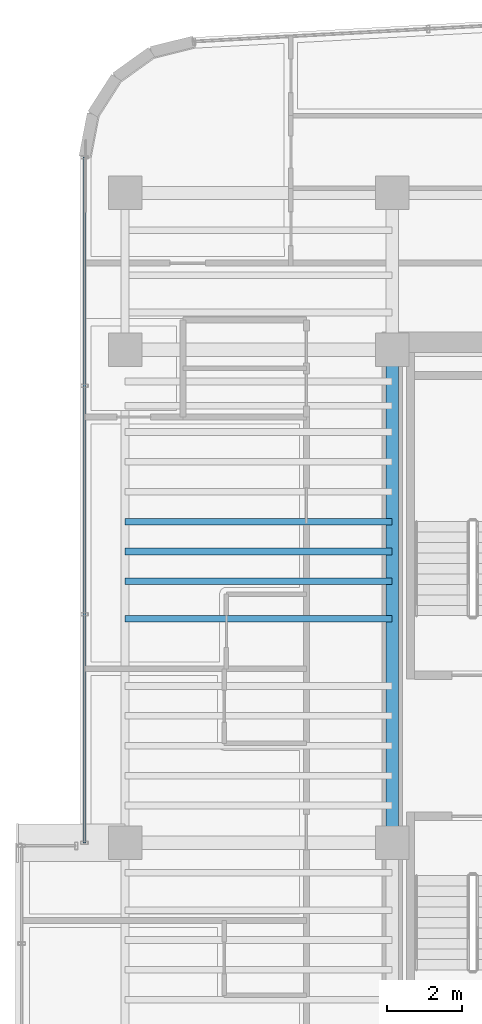
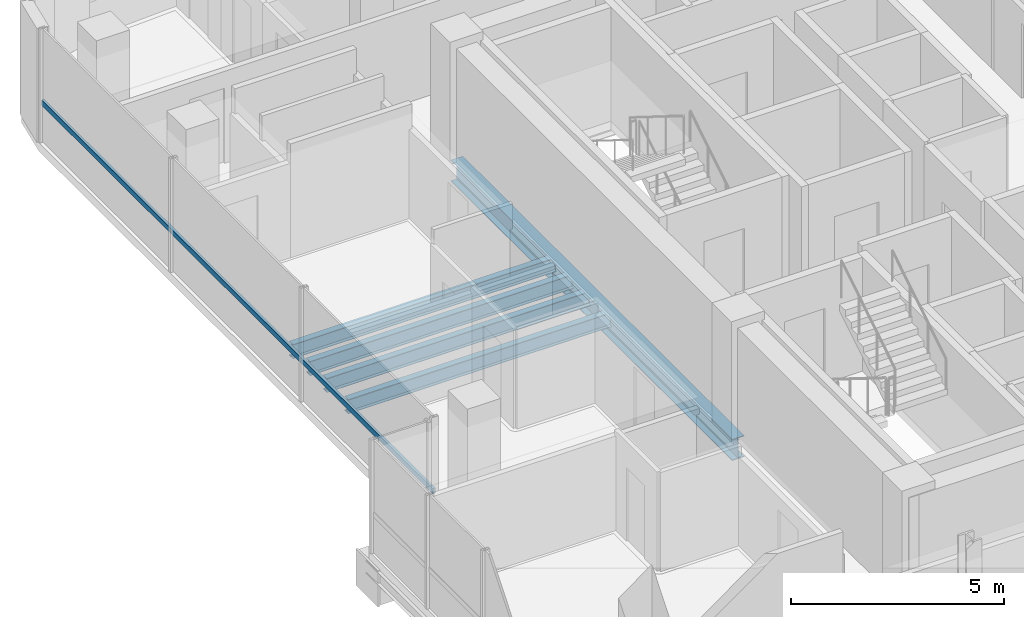
# One storey, part 8 of 24: 5 beams, 1 member, 1 element without a shape of its own.
"""IFC4 building model written with IfcOpenShell, lengths in metres."""

from ifc_helpers import new_model, si_unit, direction, frame, origin, origin_2d, place, context, subcontext, project, spatial, hollow_rectangle, i_section, extrude, source, transform, mapped, material, material_profile, profile_set, type_object, element, aggregate, save


model = new_model("IFC4")

# Units and contexts
model_context = context("Model", 3, precision=1e-05, world=origin(), true_north=direction((0.0, 1.0)))
body_context = subcontext(model_context, "Body", "Model", "MODEL_VIEW")
ifc_project = project(units=[si_unit("LENGTHUNIT", "METRE"), si_unit("AREAUNIT", "SQUARE_METRE"), si_unit("VOLUMEUNIT", "CUBIC_METRE"), si_unit("PLANEANGLEUNIT", "RADIAN"), si_unit("MASSUNIT", "GRAM", prefix="KILO")], contexts=[model_context])

# Site, building, storey
site_placement = place(None, origin())
site = spatial("IfcSite", under=ifc_project, at=site_placement, CompositionType="ELEMENT")
building_placement = place(site_placement, origin())
building = spatial("IfcBuilding", under=site, at=building_placement, Name="Valdorenza Pilgrim Sanctuary Tower", CompositionType="ELEMENT")
storey_placement = place(building_placement, frame((0.0, 0.0, 230.0)))
storey = spatial("IfcBuildingStorey", under=building, at=storey_placement, Name="L59", CompositionType="ELEMENT", Elevation=230.0)

# Beams
ifc_material_1 = material(Name="Steel ASTM A992 Grade 50", Category="steel")
ifc_material_profile_1 = material_profile(ifc_material_1, i_section(OverallWidth=0.323974609375, OverallDepth=0.611083984375, WebThickness=0.0126953125, FlangeThickness=0.01904296875, at=origin_2d()), Name="W24X104")
ifc_profile_set_1 = profile_set([ifc_material_profile_1], Name="Steel ASTM A992 Grade 50")
beam_type_1 = type_object("IfcBeamType", Name="STR-BM-GRD-W24B", PredefinedType="BEAM", material=ifc_profile_set_1)
shared_shape_1 = source(origin(), body_context, "Body", "SweptSolid", [
    extrude(i_section(OverallWidth=0.323974609375, OverallDepth=0.611083984375, WebThickness=0.0126953125, FlangeThickness=0.01904296875, at=origin_2d()), origin(), (0.0, 0.0, 1.0), 13.2001953125),
])
beam_placement = place(storey_placement, frame((-22.64990234375, -2.60009765625, -0.54541015625), z_axis=(0.0, 1.0, 0.0), x_axis=(-1.0, 0.0, 0.0)))
element("IfcBeam", 1, at=beam_placement, inside=storey, type_object=beam_type_1, Name="L59 Core Tie Girder CA-W-M0N1", PredefinedType="BEAM", context=body_context, shape_type="MappedRepresentation", body=[
    mapped(shared_shape_1, transform((0.0, 0.0, 0.0), x_axis=(1.0, 0.0, 0.0), y_axis=(0.0, 1.0, 0.0), z_axis=(0.0, 0.0, 1.0), scale=1.0)),
])
ifc_material_profile_2 = material_profile(ifc_material_1, i_section(OverallWidth=0.177978515625, OverallDepth=0.406005859375, WebThickness=0.0078125, FlangeThickness=0.0126953125, at=origin_2d()), Name="W16X40")
ifc_profile_set_2 = profile_set([ifc_material_profile_2], Name="Steel ASTM A992 Grade 50")
beam_type_2 = type_object("IfcBeamType", Name="STR-BM-JST-W16", PredefinedType="JOIST", material=ifc_profile_set_2)
shared_shape_2 = source(origin(), body_context, "Body", "SweptSolid", [
    extrude(i_section(OverallWidth=0.177978515625, OverallDepth=0.406005859375, WebThickness=0.0078125, FlangeThickness=0.0126953125, at=origin_2d()), origin(), (0.0, 0.0, 1.0), 7.150146484375),
])
for number, where, z_axis, x_axis, name in (
    (2, (-29.800048828125, 3.39990234375, -0.443115234375), (1.0, 0.0, 0.0), (0.0, 1.0, 0.0), "L59 Composite Floor Joist JST-WA-15"),
    (3, (-29.800048828125, 4.39990234375, -0.443115234375), (1.0, 0.0, 0.0), (0.0, 1.0, 0.0), "L59 Composite Floor Joist JST-WA-16"),
    (4, (-29.800048828125, 5.199951171875, -0.443115234375), (1.0, 0.0, 0.0), (0.0, 1.0, 0.0), "L59 Composite Floor Joist JST-WA-17"),
    (5, (-29.800048828125, 6.0, -0.443115234375), (1.0, 0.0, 0.0), (0.0, 1.0, 0.0), "L59 Composite Floor Joist JST-WA-18"),
):
    element("IfcBeam", number, at=place(storey_placement, frame(where, z_axis=z_axis, x_axis=x_axis)), inside=storey, type_object=beam_type_2, Name=name, PredefinedType="JOIST", context=body_context, shape_type="MappedRepresentation", body=[
        mapped(shared_shape_2, transform((0.0, 0.0, 0.0), x_axis=(1.0, 0.0, 0.0), y_axis=(0.0, 1.0, 0.0), z_axis=(0.0, 0.0, 1.0), scale=1.0)),
    ])

# Curtain wall, member
ifc_material_2 = material(Name="Curtain-wall IGU glazing", Category="glass")
curtain_wall_type = type_object("IfcCurtainWallType", Name="CW-SYS-02", PredefinedType="NOTDEFINED", material=ifc_material_2)
curtain_wall_placement = place(storey_placement, origin())
curtain_wall = element("IfcCurtainWall", 6, at=curtain_wall_placement, inside=storey, type_object=curtain_wall_type, Name="L59 Curtain Wall CW-L59-1-1S2", PredefinedType="NOTDEFINED")
ifc_material_3 = material(Name="Anodised aluminium AW-6060", Category="aluminium")
ifc_material_profile_3 = material_profile(ifc_material_3, hollow_rectangle(XDim=0.074951171875, YDim=0.14990234375, WallThickness=0.00390625, at=origin_2d()), Name="ALU-T 150x75x4")
ifc_profile_set_3 = profile_set([ifc_material_profile_3], Name="Anodised aluminium AW-6060")
member_type = type_object("IfcMemberType", Name="CW-TRN-02", PredefinedType="USERDEFINED", material=ifc_profile_set_3)
shared_shape_3 = source(origin(), body_context, "Body", "SweptSolid", [
    extrude(hollow_rectangle(XDim=0.074951171875, YDim=0.14990234375, WallThickness=0.00390625, at=origin_2d()), origin(), (0.0, 0.0, 1.0), 18.357666015625),
])
member_placement = place(storey_placement, frame((-30.889892578125, -2.60009765625, 1.1201171875), z_axis=(0.0, 1.0, 0.0), x_axis=(-1.0, 0.0, 0.0)))
member = element("IfcMember", 7, at=member_placement, type_object=member_type, Name="CW-L59-1-1S2 Transom 1", ObjectType="TRANSOM", PredefinedType="USERDEFINED", context=body_context, shape_type="MappedRepresentation", body=[
    mapped(shared_shape_3, transform((0.0, 0.0, 0.0), x_axis=(1.0, 0.0, 0.0), y_axis=(0.0, 1.0, 0.0), z_axis=(0.0, 0.0, 1.0), scale=1.0)),
])
aggregate(curtain_wall, [member])

save(model, "model.ifc")
